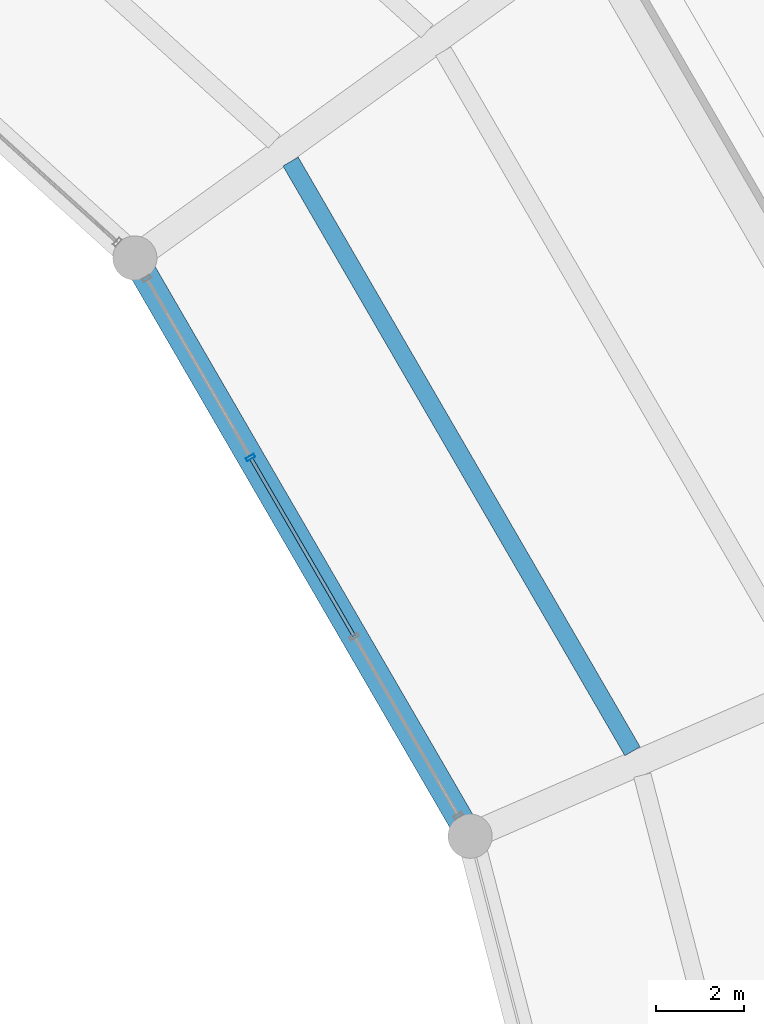
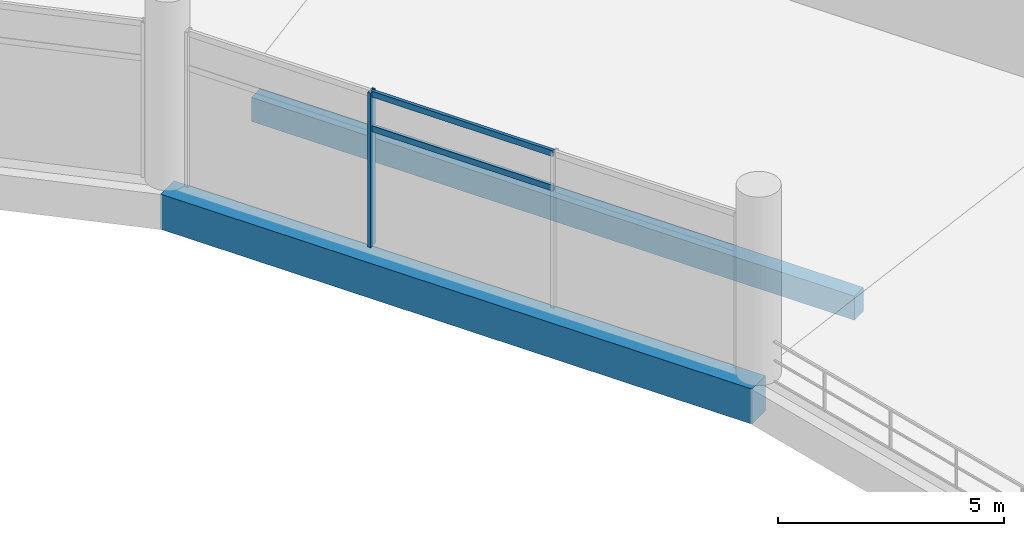
# One storey, part 83 of 184: 3 members, 2 beams, 1 element without a shape of its own.
"""IFC4 building model written with IfcOpenShell, lengths in metres."""

import ifcopenshell
import ifcopenshell.guid

model = None  # the IFC model being written
_history = None  # IfcOwnerHistory: only IFC2X3 demands one
_inside = {}  # id of a spatial element -> (the spatial element, [elements in it])
_under = {}  # id of a project, library or spatial element -> (it, [spatial elements below it])
_declared = {}  # id of a project -> (the project, [libraries it declares])
_typed = {}  # id of a type object -> (the type object, [elements of that type])
_made_of = {}  # id of a material, layer set ... -> (it, [elements and type objects made of it])


def new_model(schema):
    """Start an empty IFC model of exactly this schema.

    Asked for "IFC4X3", IfcOpenShell would pick the latest addendum, in which some entities
    have other attributes; the version numbers below select the first issue.
    IFC2X3 requires an IfcOwnerHistory on every rooted entity: one is made here for all.
    """
    global model, _history
    if schema == "IFC4X3":
        model = ifcopenshell.file(schema_version=(4, 3, 0, 0))
    else:
        model = ifcopenshell.file(schema=schema)
    _inside.clear()
    _under.clear()
    _declared.clear()
    _typed.clear()
    _made_of.clear()
    _history = None
    if model.schema == "IFC2X3":
        org = make("IfcOrganization", Name="unknown")
        user = make(
            "IfcPersonAndOrganization",
            ThePerson=make("IfcPerson", FamilyName="unknown"),
            TheOrganization=org,
        )
        app = make(
            "IfcApplication",
            ApplicationDeveloper=org,
            Version="unknown",
            ApplicationFullName="unknown",
            ApplicationIdentifier="unknown",
        )
        _history = make(
            "IfcOwnerHistory",
            OwningUser=user,
            OwningApplication=app,
            ChangeAction="ADDED",
            CreationDate=0,
        )
    return model


def make(cls, **values):
    """One entity of the class cls with the attributes given. An attribute that is None is left unset."""
    return model.create_entity(
        cls, **{name: value for name, value in values.items() if value is not None}
    )


def rooted(cls, **values):
    """An entity with a GlobalId (a new one), such as an element, a storey or a relation."""
    return make(cls, GlobalId=ifcopenshell.guid.new(), OwnerHistory=_history, **values)


def si_unit(unit_type, name, prefix=None):
    """IfcSIUnit, for example si_unit("LENGTHUNIT", "METRE", prefix="MILLI")."""
    return make("IfcSIUnit", UnitType=unit_type, Prefix=prefix, Name=name)


def assignment(units):
    """IfcUnitAssignment: the units of a project."""
    return None if units is None else make("IfcUnitAssignment", Units=units)


def point(xyz):
    """IfcCartesianPoint."""
    return None if xyz is None else make("IfcCartesianPoint", Coordinates=xyz)


def direction(xyz):
    """IfcDirection."""
    return None if xyz is None else make("IfcDirection", DirectionRatios=xyz)


def frame(location, z_axis=None, x_axis=None):
    """IfcAxis2Placement3D, a coordinate frame: its origin and axes. An axis left out is left unset."""
    return make(
        "IfcAxis2Placement3D",
        Location=point(location),
        Axis=direction(z_axis),
        RefDirection=direction(x_axis),
    )


def frame_2d(location, x_axis=None):
    """IfcAxis2Placement2D, a coordinate frame in the plane: its origin and x axis."""
    return make(
        "IfcAxis2Placement2D", Location=point(location), RefDirection=direction(x_axis)
    )


def origin():
    """The frame at (0, 0, 0) with its axes left unset."""
    return frame((0.0, 0.0, 0.0))


def origin_2d():
    """The frame at (0, 0) in the plane with its x axis left unset."""
    return frame_2d((0.0, 0.0))


def place(relative_to, where):
    """IfcLocalPlacement: puts the frame where relative to a parent placement (None: the world)."""
    return make(
        "IfcLocalPlacement", PlacementRelTo=relative_to, RelativePlacement=where
    )


def context(
    kind, dimensions, precision=None, world=None, true_north=None, identifier=None
):
    """IfcGeometricRepresentationContext, for example the 3D "Model" context."""
    return make(
        "IfcGeometricRepresentationContext",
        ContextIdentifier=identifier,
        ContextType=kind,
        CoordinateSpaceDimension=dimensions,
        Precision=precision,
        WorldCoordinateSystem=world,
        TrueNorth=true_north,
    )


def subcontext(parent, identifier, kind, view, scale=None):
    """IfcGeometricRepresentationSubContext, for example "Body" below "Model"."""
    return make(
        "IfcGeometricRepresentationSubContext",
        ContextIdentifier=identifier,
        ContextType=kind,
        ParentContext=parent,
        TargetScale=scale,
        TargetView=view,
    )


def project(units=None, contexts=None):
    """IfcProject with its units and contexts."""
    return rooted(
        "IfcProject",
        Name="project",
        RepresentationContexts=contexts,
        UnitsInContext=assignment(units),
    )


def spatial(cls, under=None, at=None, **own):
    """A site, building, storey or space (cls), placed at a placement, below another one or the project."""
    s = rooted(cls, ObjectPlacement=at, **own)
    if under is not None:
        _under.setdefault(under.id(), (under, []))[1].append(s)
    return s


def profile(cls, at=None, kind="AREA", **sizes):
    """A parametric profile (cls). Its sizes go by their IFC names, for example OverallWidth=200.0."""
    return make(cls, ProfileType=kind, Position=at, **sizes)


def rectangle(**sizes):
    """IfcRectangleProfileDef."""
    return profile("IfcRectangleProfileDef", **sizes)


def hollow_rectangle(**sizes):
    """IfcRectangleHollowProfileDef."""
    return profile("IfcRectangleHollowProfileDef", **sizes)


def extrude(swept, where, along, depth):
    """IfcExtrudedAreaSolid: the profile swept, set in the frame where, extruded along a direction by depth."""
    return make(
        "IfcExtrudedAreaSolid",
        SweptArea=swept,
        Position=where,
        ExtrudedDirection=direction(along),
        Depth=depth,
    )


def shape(context_of_items, identifier, shape_type, items):
    """IfcShapeRepresentation: the items that make up one representation, for example the "Body"."""
    return make(
        "IfcShapeRepresentation",
        ContextOfItems=context_of_items,
        RepresentationIdentifier=identifier,
        RepresentationType=shape_type,
        Items=items,
    )


def material(Name=None, Category=None):
    """IfcMaterial."""
    return make("IfcMaterial", Name=Name, Category=Category)


def layer(
    of_material, thickness, ventilated=None, Name=None, Category=None, Priority=None
):
    """IfcMaterialLayer: one layer of a wall or slab, of a material (None: an air gap)."""
    return make(
        "IfcMaterialLayer",
        Material=of_material,
        LayerThickness=thickness,
        IsVentilated=ventilated,
        Name=Name,
        Category=Category,
        Priority=Priority,
    )


def layer_set(layers, Name=None):
    """IfcMaterialLayerSet."""
    return make("IfcMaterialLayerSet", MaterialLayers=layers, LayerSetName=Name)


def material_profile(
    of_material, cross_section, Name=None, Category=None, Priority=None
):
    """IfcMaterialProfile: a cross section and its material."""
    return make(
        "IfcMaterialProfile",
        Name=Name,
        Material=of_material,
        Profile=cross_section,
        Priority=Priority,
        Category=Category,
    )


def profile_set(profiles, Name=None, composite=None):
    """IfcMaterialProfileSet."""
    return make(
        "IfcMaterialProfileSet",
        Name=Name,
        MaterialProfiles=profiles,
        CompositeProfile=composite,
    )


def made_of(thing, what):
    """Note that an element or type object is made of a material, layer set ...; save() writes the relation."""
    if what is not None:
        _made_of.setdefault(what.id(), (what, []))[1].append(thing)
    return thing


def type_object(cls, material=None, **own):
    """A type object (cls), such as IfcWallType, which elements share."""
    return made_of(rooted(cls, **own), material)


def element(
    cls,
    number,
    at=None,
    inside=None,
    cuts=None,
    type_object=None,
    material=None,
    context=None,
    identifier="Body",
    shape_type=None,
    held_by="IfcProductDefinitionShape",
    body=None,
    shapes=None,
    **own,
):
    """One element of the class cls, such as IfcWall. Its Tag is "e" and its number.

    at: its placement. inside: the storey or other place that contains it. cuts: it is an
    opening in that element (IfcRelVoidsElement). A single representation is given by context,
    identifier, shape_type and body (its items); several are given by shapes. held_by: the class
    of the entity that holds the representations. save() writes the other relations.
    """
    e = rooted(cls, Tag="e%d" % number, ObjectPlacement=at, **own)
    if body is not None:
        shapes = [shape(context, identifier, shape_type, body)]
    if shapes is not None:
        e.Representation = make(held_by, Representations=shapes)
    if inside is not None:
        _inside.setdefault(inside.id(), (inside, []))[1].append(e)
    if cuts is not None:
        rooted(
            "IfcRelVoidsElement", RelatingBuildingElement=cuts, RelatedOpeningElement=e
        )
    if type_object is not None:
        _typed.setdefault(type_object.id(), (type_object, []))[1].append(e)
    return made_of(e, material)


def aggregate(whole, parts):
    """IfcRelAggregates: a whole, such as a stair, and the parts it consists of."""
    return rooted("IfcRelAggregates", RelatingObject=whole, RelatedObjects=parts)


def save(model, path):
    """Write the relations noted so far, then the file.

    IfcRelAggregates (storeys below a building ...), IfcRelContainedInSpatialStructure (elements
    in a storey), IfcRelDefinesByType, IfcRelAssociatesMaterial and IfcRelDeclares: one each for
    every whole, place, type object, material and project.
    """
    for whole, parts in _under.values():
        aggregate(whole, parts)
    for where, things in _inside.values():
        rooted(
            "IfcRelContainedInSpatialStructure",
            RelatedElements=things,
            RelatingStructure=where,
        )
    for kind, things in _typed.values():
        rooted("IfcRelDefinesByType", RelatedObjects=things, RelatingType=kind)
    for what, things in _made_of.values():
        rooted("IfcRelAssociatesMaterial", RelatedObjects=things, RelatingMaterial=what)
    for by, libraries in _declared.values():
        rooted("IfcRelDeclares", RelatingContext=by, RelatedDefinitions=libraries)
    model.write(path)


model = new_model("IFC4")

# Units and contexts
model_context = context("Model", 3, precision=1e-05, world=origin(), true_north=direction((0.0, 1.0)))
body_context = subcontext(model_context, "Body", "Model", "MODEL_VIEW")
ifc_project = project(units=[si_unit("LENGTHUNIT", "METRE"), si_unit("AREAUNIT", "SQUARE_METRE"), si_unit("VOLUMEUNIT", "CUBIC_METRE"), si_unit("PLANEANGLEUNIT", "RADIAN"), si_unit("MASSUNIT", "GRAM", prefix="KILO")], contexts=[model_context])

# Site, building, storey
site_placement = place(None, origin())
site = spatial("IfcSite", under=ifc_project, at=site_placement, CompositionType="ELEMENT")
building_placement = place(site_placement, origin())
building = spatial("IfcBuilding", under=site, at=building_placement, Name="Kazemori Nagisa Stadium", CompositionType="ELEMENT")
storey_placement = place(building_placement, frame((0.0, 0.0, 10.5400390625)))
storey = spatial("IfcBuildingStorey", under=building, at=storey_placement, Name="L02", CompositionType="ELEMENT", Elevation=10.5400390625)

# Beams
ifc_material_1 = material(Name="Concrete C40/50 (Fc42)", Category="concrete")
ifc_material_profile_1 = material_profile(ifc_material_1, rectangle(XDim=0.60009765625, YDim=0.949951171875, at=origin_2d()), Name="RC-BM-600x950")
ifc_profile_set_1 = profile_set([ifc_material_profile_1], Name="Concrete C40/50 (Fc42)")
beam_type_1 = type_object("IfcBeamType", Name="Beam_BG-RC600X950", PredefinedType="BEAM", material=ifc_profile_set_1)
beam_1_placement = place(storey_placement, frame((187.885986328125, 130.287109375, -0.735107421875), z_axis=(-0.501613453924, 0.865091869597, 0.0), x_axis=(-0.865091869597, -0.501613453924, 0.0)))
element("IfcBeam", 1, at=beam_1_placement, inside=storey, type_object=beam_type_1, Name="Ring girder BG-RC600X950 L02 R1-03", PredefinedType="BEAM", context=body_context, shape_type="SweptSolid", body=[
    extrude(rectangle(XDim=0.60009765625, YDim=0.949951171875, at=origin_2d()), origin(), (0.0, 0.0, 1.0), 15.1201171875),
])
ifc_material_profile_2 = material_profile(ifc_material_1, rectangle(XDim=0.39990234375, YDim=0.64990234375, at=origin_2d()), Name="RC-BM-400x650")
ifc_profile_set_2 = profile_set([ifc_material_profile_2], Name="Concrete C40/50 (Fc42)")
beam_type_2 = type_object("IfcBeamType", Name="Beam_BJ-RC400X650", PredefinedType="JOIST", material=ifc_profile_set_2)
beam_2_placement = place(storey_placement, frame((191.56005859375, 132.20849609375, -0.5849609375), z_axis=(-0.501607199617, 0.865095496054, 0.0), x_axis=(-0.865095496054, -0.501607199617, 0.0)))
element("IfcBeam", 2, at=beam_2_placement, inside=storey, type_object=beam_type_2, Name="Concourse joist BJ-RC400X650 L02 B03-1", PredefinedType="JOIST", context=body_context, shape_type="SweptSolid", body=[
    extrude(rectangle(XDim=0.39990234375, YDim=0.64990234375, at=origin_2d()), origin(), (0.0, 0.0, 1.0), 15.420654296875),
])

# Curtain wall, members
ifc_material_2 = material(Name="Anodised aluminium 6063-T5", Category="aluminium")
ifc_layer = layer(ifc_material_2, 0.2099609375, Name="Anodised aluminium 6063-T5", Category="aluminium")
ifc_layer_set = layer_set([ifc_layer], Name="Anodised aluminium 6063-T5")
curtain_wall_type = type_object("IfcCurtainWallType", Name="CW_L02B_71", PredefinedType="USERDEFINED", material=ifc_layer_set)
curtain_wall_placement = place(storey_placement, origin())
curtain_wall = element("IfcCurtainWall", 3, at=curtain_wall_placement, inside=storey, type_object=curtain_wall_type, Name="Unitised curtain wall CW-L02B-71 L02", ObjectType="UNITISED CURTAIN WALL", PredefinedType="USERDEFINED")
ifc_material_3 = material(Name="Aluminium 6063-T5 anodised", Category="aluminium")
ifc_material_profile_3 = material_profile(ifc_material_3, hollow_rectangle(XDim=0.080078125, YDim=0.2099609375, WallThickness=0.0048828125, at=origin_2d()), Name="ALU-MULL-80x210x5")
ifc_profile_set_3 = profile_set([ifc_material_profile_3], Name="Aluminium 6063-T5 anodised")
member_type_1 = type_object("IfcMemberType", Name="Mullion_M02", PredefinedType="MULLION", material=ifc_profile_set_3)
member_1_placement = place(storey_placement, frame((182.919189453125, 138.85302734375, 0.0), z_axis=(0.0, 0.0, 1.0), x_axis=(-0.501611590054, 0.865092950337, 0.0)))
member_1 = element("IfcMember", 4, at=member_1_placement, type_object=member_type_1, Name="Curtain wall mullion CW-L02B-71-M3", PredefinedType="MULLION", context=body_context, shape_type="SweptSolid", body=[
    extrude(hollow_rectangle(XDim=0.080078125, YDim=0.2099609375, WallThickness=0.0048828125, at=origin_2d()), origin(), (0.0, 0.0, 1.0), 4.18994140625),
])
ifc_material_profile_4 = material_profile(ifc_material_3, hollow_rectangle(XDim=0.080078125, YDim=0.159912109375, WallThickness=0.00390625, at=origin_2d()), Name="ALU-TRAN-80x160x4")
ifc_profile_set_4 = profile_set([ifc_material_profile_4], Name="Aluminium 6063-T5 anodised")
member_type_2 = type_object("IfcMemberType", Name="Transom_T02", PredefinedType="USERDEFINED", material=ifc_profile_set_4)
member_2_placement = place(storey_placement, frame((185.25830078125, 134.81884765625, 3.184326171875), z_axis=(-0.501610282552, 0.865093708472, 0.0), x_axis=(-0.865093708472, -0.501610282552, 0.0)))
member_2 = element("IfcMember", 5, at=member_2_placement, type_object=member_type_2, Name="Curtain wall transom CW-L02B-71-T2-mid", ObjectType="TRANSOM", PredefinedType="USERDEFINED", context=body_context, shape_type="SweptSolid", body=[
    extrude(hollow_rectangle(XDim=0.080078125, YDim=0.159912109375, WallThickness=0.00390625, at=origin_2d()), origin(), (0.0, 0.0, 1.0), 4.643310546875),
])
member_3_placement = place(storey_placement, frame((185.25830078125, 134.81884765625, 4.119873046875), z_axis=(-0.501610282552, 0.865093708472, 0.0), x_axis=(-0.865093708472, -0.501610282552, 0.0)))
member_3 = element("IfcMember", 6, at=member_3_placement, type_object=member_type_2, Name="Curtain wall transom CW-L02B-71-T2-head", ObjectType="TRANSOM", PredefinedType="USERDEFINED", context=body_context, shape_type="SweptSolid", body=[
    extrude(hollow_rectangle(XDim=0.080078125, YDim=0.159912109375, WallThickness=0.00390625, at=origin_2d()), origin(), (0.0, 0.0, 1.0), 4.643310546875),
])
aggregate(curtain_wall, [member_1, member_2, member_3])

save(model, "model.ifc")
